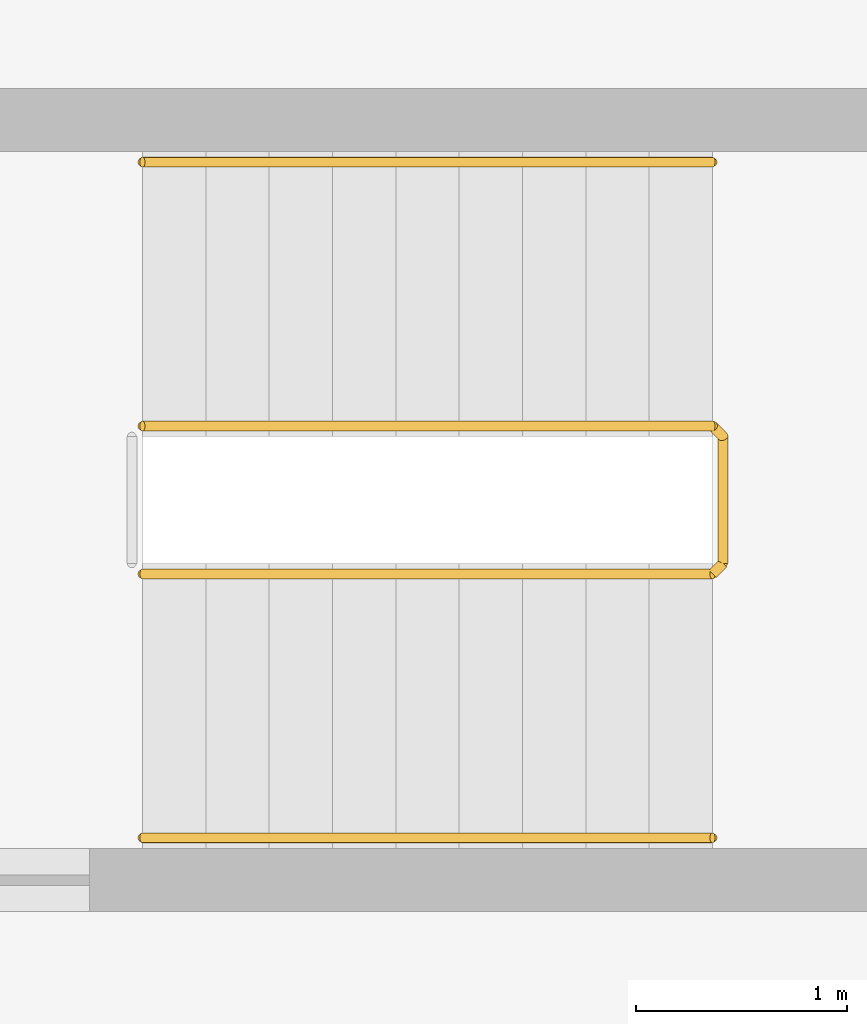
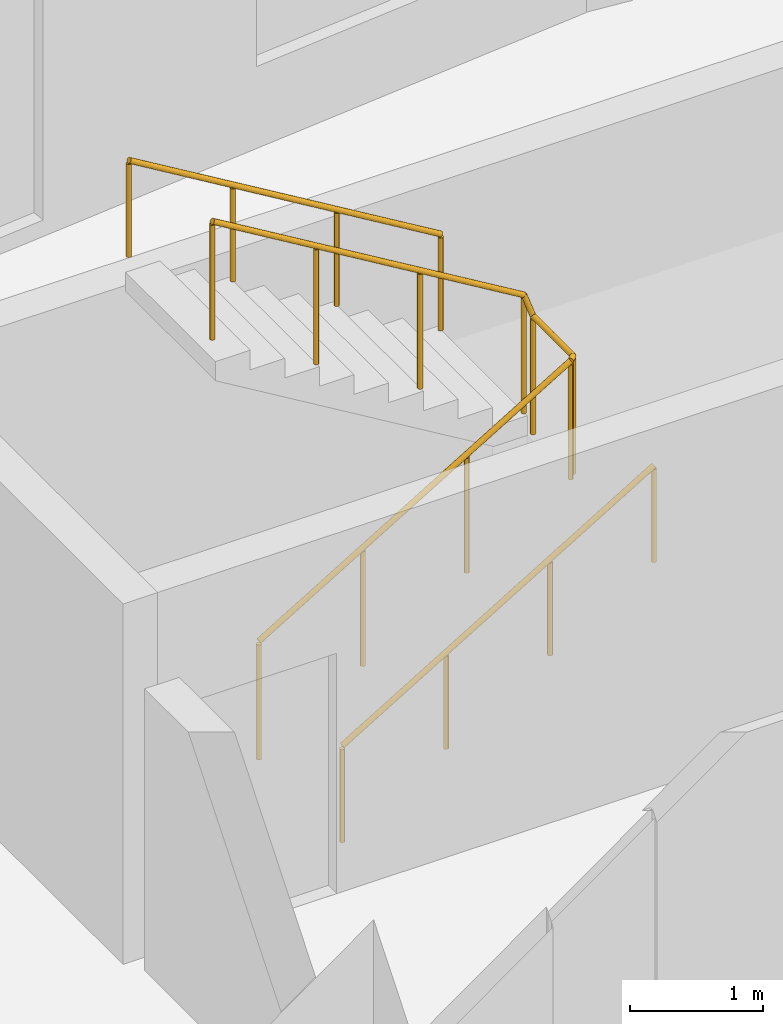
# One storey, part 12 of 12: 3 railings.
"""IFC4 building model written with IfcOpenShell, lengths in metres."""

from ifc_helpers import new_model, si_unit, direction, frame, origin, origin_2d, place, context, subcontext, project, spatial, circle, extrude, material, type_object, element, save


model = new_model("IFC4")

# Units and contexts
model_context = context("Model", 3, precision=1e-05, world=origin(), true_north=direction((0.0, 1.0)))
body_context = subcontext(model_context, "Body", "Model", "MODEL_VIEW")
ifc_project = project(units=[si_unit("LENGTHUNIT", "METRE"), si_unit("AREAUNIT", "SQUARE_METRE"), si_unit("VOLUMEUNIT", "CUBIC_METRE"), si_unit("PLANEANGLEUNIT", "RADIAN"), si_unit("MASSUNIT", "GRAM", prefix="KILO")], contexts=[model_context])

# Site, building, storey
site_placement = place(None, origin())
site = spatial("IfcSite", under=ifc_project, at=site_placement, CompositionType="ELEMENT")
building_placement = place(site_placement, origin())
building = spatial("IfcBuilding", under=site, at=building_placement, Name="Brondeck Convention Tower", CompositionType="ELEMENT")
storey_placement = place(building_placement, frame((0.0, 0.0, 66.300048828125)))
storey = spatial("IfcBuildingStorey", under=building, at=storey_placement, Name="L14", CompositionType="ELEMENT", Elevation=66.300048828125)

# Railings
ifc_material = material(Name="Steel S355", Category="steel")
railing_type_1 = type_object("IfcRailingType", Name="Stair guard 1100", PredefinedType="GUARDRAIL", material=ifc_material)
railing_1_placement = place(storey_placement, frame((37.85009765625, 55.449951171875, 0.179931640625)))
element("IfcRailing", 1, at=railing_1_placement, inside=storey, type_object=railing_type_1, Name="L14 ST-AE stair guard 1", PredefinedType="GUARDRAIL", context=body_context, shape_type="SweptSolid", body=[
    extrude(circle(Radius=0.02392578125, at=origin_2d()), frame((0.0, 0.0, 1.076171875), z_axis=(0.857472400752, 0.0, 0.514529962148), x_axis=(0.0, 1.0, 0.0)), (0.0, 0.0, 1.0), 3.148681640625),
    extrude(circle(Radius=0.02392578125, at=origin_2d()), frame((2.699951171875, 0.0, 2.6962890625), z_axis=(0.707106781187, 0.707106781187, 0.0), x_axis=(-0.707106781187, 0.707106781187, 0.0)), (0.0, 0.0, 1.0), 0.07080078125),
    extrude(circle(Radius=0.02392578125, at=origin_2d()), frame((2.75, 0.050048828125, 2.6962890625), z_axis=(0.0, 1.0, 0.0), x_axis=(-1.0, 0.0, 0.0)), (0.0, 0.0, 1.0), 0.60009765625),
    extrude(circle(Radius=0.02392578125, at=origin_2d()), frame((2.75, 0.650146484375, 2.6962890625), z_axis=(-0.258932105505, 0.257669022063, 0.930892496375), x_axis=(-0.705375805398, -0.708833529934, 0.0)), (0.0, 0.0, 1.0), 0.193359375),
    extrude(circle(Radius=0.02392578125, at=origin_2d()), frame((2.699951171875, 0.699951171875, 2.8759765625), z_axis=(-0.857506608807, 0.0, 0.514472949583), x_axis=(0.0, -1.0, 0.0)), (0.0, 0.0, 1.0), 3.148681640625),
    extrude(circle(Radius=0.02099609375, at=origin_2d()), origin(), (0.0, 0.0, 1.0), 1.052001953125),
    extrude(circle(Radius=0.02099609375, at=origin_2d()), frame((0.89990234375, 0.0, 0.5400390625)), (0.0, 0.0, 1.0), 1.052001953125),
    extrude(circle(Radius=0.02099609375, at=origin_2d()), frame((1.800048828125, 0.0, 1.080078125)), (0.0, 0.0, 1.0), 1.052001953125),
    extrude(circle(Radius=0.02099609375, at=origin_2d()), frame((2.699951171875, 0.0, 1.6201171875)), (0.0, 0.0, 1.0), 1.052001953125),
    extrude(circle(Radius=0.02099609375, at=origin_2d()), frame((2.75, 0.050048828125, 1.6201171875)), (0.0, 0.0, 1.0), 1.052001953125),
    extrude(circle(Radius=0.02099609375, at=origin_2d()), frame((2.75, 0.650146484375, 1.6201171875)), (0.0, 0.0, 1.0), 1.052001953125),
    extrude(circle(Radius=0.02099609375, at=origin_2d()), frame((2.699951171875, 0.699951171875, 1.800048828125)), (0.0, 0.0, 1.0), 1.052001953125),
    extrude(circle(Radius=0.02099609375, at=origin_2d()), frame((1.800048828125, 0.699951171875, 2.340087890625)), (0.0, 0.0, 1.0), 1.052001953125),
    extrude(circle(Radius=0.02099609375, at=origin_2d()), frame((0.89990234375, 0.699951171875, 2.8798828125)), (0.0, 0.0, 1.0), 1.052001953125),
    extrude(circle(Radius=0.02099609375, at=origin_2d()), frame((0.0, 0.699951171875, 3.419921875)), (0.0, 0.0, 1.0), 1.052001953125),
])
railing_type_2 = type_object("IfcRailingType", Name="Stair handrail", PredefinedType="HANDRAIL", material=ifc_material)
railing_2_placement = place(storey_placement, frame((37.85009765625, 54.199951171875, 0.179931640625)))
element("IfcRailing", 2, at=railing_2_placement, inside=storey, type_object=railing_type_2, Name="L14 ST-AE stair handrail 1", PredefinedType="HANDRAIL", context=body_context, shape_type="SweptSolid", body=[
    extrude(circle(Radius=0.02392578125, at=origin_2d()), frame((0.0, 0.0, 0.8759765625), z_axis=(0.857472400752, 0.0, 0.514529962148), x_axis=(0.0, 1.0, 0.0)), (0.0, 0.0, 1.0), 3.148681640625),
    extrude(circle(Radius=0.02099609375, at=origin_2d()), origin(), (0.0, 0.0, 1.0), 0.851806640625),
    extrude(circle(Radius=0.02099609375, at=origin_2d()), frame((0.89990234375, 0.0, 0.5400390625)), (0.0, 0.0, 1.0), 0.851806640625),
    extrude(circle(Radius=0.02099609375, at=origin_2d()), frame((1.800048828125, 0.0, 1.080078125)), (0.0, 0.0, 1.0), 0.851806640625),
    extrude(circle(Radius=0.02099609375, at=origin_2d()), frame((2.699951171875, 0.0, 1.6201171875)), (0.0, 0.0, 1.0), 0.851806640625),
])
railing_3_placement = place(storey_placement, frame((40.550048828125, 57.39990234375, 1.97998046875)))
element("IfcRailing", 3, at=railing_3_placement, inside=storey, type_object=railing_type_2, Name="L14 ST-AE stair handrail 2", PredefinedType="HANDRAIL", context=body_context, shape_type="SweptSolid", body=[
    extrude(circle(Radius=0.02392578125, at=origin_2d()), frame((0.0, 0.0, 0.8759765625), z_axis=(-0.857506608807, 0.0, 0.514472949583), x_axis=(0.0, -1.0, 0.0)), (0.0, 0.0, 1.0), 3.148681640625),
    extrude(circle(Radius=0.02099609375, at=origin_2d()), origin(), (0.0, 0.0, 1.0), 0.851806640625),
    extrude(circle(Radius=0.02099609375, at=origin_2d()), frame((-0.89990234375, 0.0, 0.5400390625)), (0.0, 0.0, 1.0), 0.851806640625),
    extrude(circle(Radius=0.02099609375, at=origin_2d()), frame((-1.800048828125, 0.0, 1.079833984375)), (0.0, 0.0, 1.0), 0.851806640625),
    extrude(circle(Radius=0.02099609375, at=origin_2d()), frame((-2.699951171875, 0.0, 1.619873046875)), (0.0, 0.0, 1.0), 0.851806640625),
])

save(model, "model.ifc")
